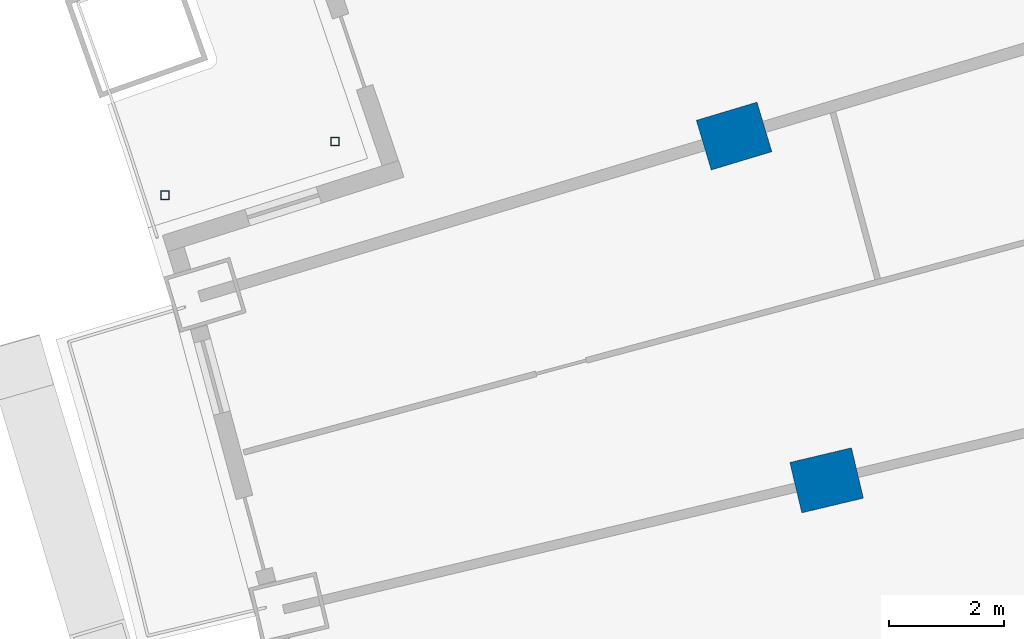
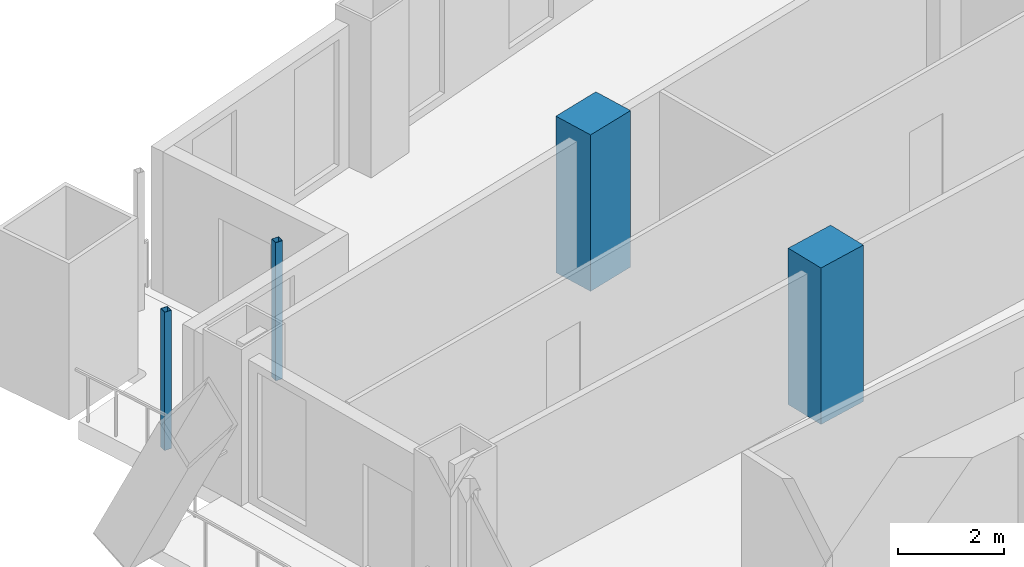
# One storey, part 7 of 25: 4 columns.
"""IFC4 building model written with IfcOpenShell, lengths in metres."""

from ifc_helpers import new_model, si_unit, direction, frame, origin, origin_2d, place, context, subcontext, project, spatial, rectangle, hollow_rectangle, extrude, material, material_profile, profile_set, type_object, element, save


model = new_model("IFC4")

# Units and contexts
model_context = context("Model", 3, precision=1e-05, world=origin(), true_north=direction((0.0, 1.0)))
body_context = subcontext(model_context, "Body", "Model", "MODEL_VIEW")
ifc_project = project(units=[si_unit("LENGTHUNIT", "METRE"), si_unit("AREAUNIT", "SQUARE_METRE"), si_unit("VOLUMEUNIT", "CUBIC_METRE"), si_unit("PLANEANGLEUNIT", "RADIAN"), si_unit("MASSUNIT", "GRAM", prefix="KILO")], contexts=[model_context])

# Site, building, storey
site_placement = place(None, origin())
site = spatial("IfcSite", under=ifc_project, at=site_placement, CompositionType="ELEMENT")
building_placement = place(site_placement, origin())
building = spatial("IfcBuilding", under=site, at=building_placement, Name="Alderwake Tower", CompositionType="ELEMENT")
storey_placement = place(building_placement, frame((0.0, 0.0, 64.39990234375)))
storey = spatial("IfcBuildingStorey", under=building, at=storey_placement, Name="L15", CompositionType="ELEMENT", Elevation=64.39990234375)

# Columns
ifc_material_1 = material(Name="Concrete C70/85", Category="concrete")
ifc_material_profile_1 = material_profile(ifc_material_1, rectangle(XDim=0.89990234375, YDim=1.10009765625, at=origin_2d()), Name="RC 1100X900")
ifc_profile_set_1 = profile_set([ifc_material_profile_1], Name="Concrete C70/85")
column_type_1 = type_object("IfcColumnType", Name="Interior column Z1", PredefinedType="COLUMN", material=ifc_profile_set_1)
for number, where, z_axis, x_axis, name in (
    (1, (23.322021484375, 85.555908203125, 0.0), (0.0, 0.0, 1.0), (-0.231221547198, 0.972901123502, 0.0), "Column R11-C1"),
    (2, (21.714599609375, 91.53759765625, 0.0), (0.0, 0.0, 1.0), (-0.287549418125, 0.957765802342, 0.0), "Column R12-C1"),
):
    element("IfcColumn", number, at=place(storey_placement, frame(where, z_axis=z_axis, x_axis=x_axis)), inside=storey, type_object=column_type_1, Name=name, PredefinedType="COLUMN", context=body_context, shape_type="SweptSolid", body=[
        extrude(rectangle(XDim=0.89990234375, YDim=1.10009765625, at=origin_2d()), origin(), (0.0, 0.0, 1.0), 3.60009765625),
    ])
ifc_material_2 = material(Name="Steel ASTM A500 Grade C", Category="steel")
ifc_material_profile_2 = material_profile(ifc_material_2, hollow_rectangle(XDim=0.15234375, YDim=0.15234375, WallThickness=0.0087890625, at=origin_2d()), Name="HSS6X6X3/8")
ifc_profile_set_2 = profile_set([ifc_material_profile_2], Name="Steel ASTM A500 Grade C")
column_type_2 = type_object("IfcColumnType", Name="Light post HSS6X6X3/8", PredefinedType="COLUMN", material=ifc_profile_set_2)
for number, where, z_axis, x_axis, name in (
    (3, (11.82568359375, 90.507080078125, 0.0), (0.0, 0.0, 1.0), (1.0, 0.0, 0.0), "Terrace post RN1"),
    (4, (14.781494140625, 91.441650390625, 0.0), (0.0, 0.0, 1.0), (1.0, 0.0, 0.0), "Terrace post RN3"),
):
    element("IfcColumn", number, at=place(storey_placement, frame(where, z_axis=z_axis, x_axis=x_axis)), inside=storey, type_object=column_type_2, Name=name, PredefinedType="COLUMN", context=body_context, shape_type="SweptSolid", body=[
        extrude(hollow_rectangle(XDim=0.15234375, YDim=0.15234375, WallThickness=0.0087890625, at=origin_2d()), origin(), (0.0, 0.0, 1.0), 3.18017578125),
    ])

save(model, "model.ifc")
